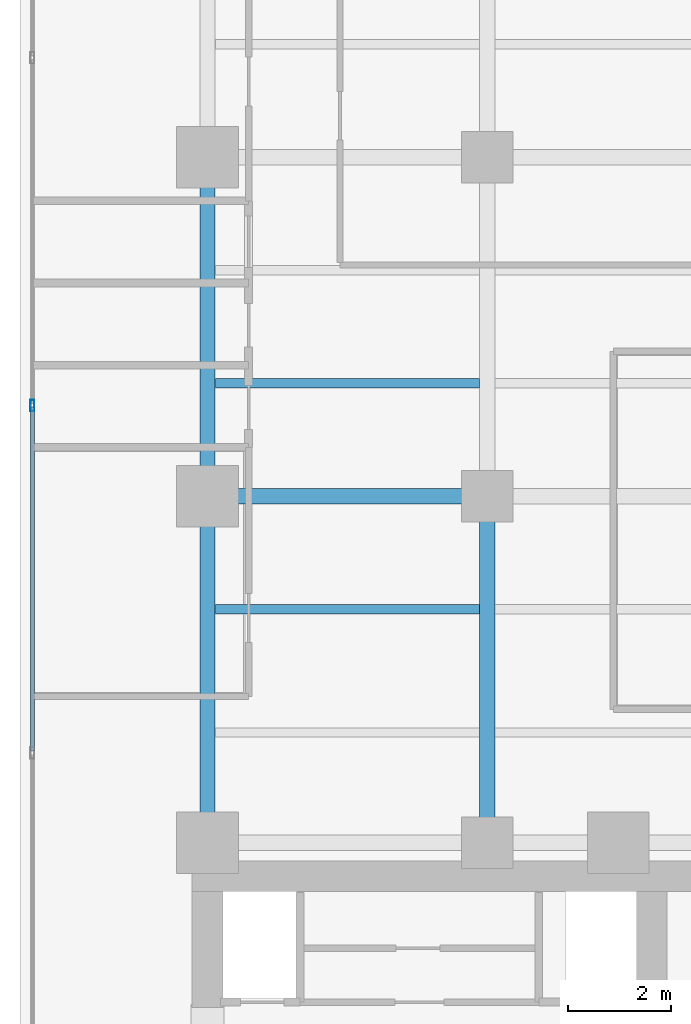
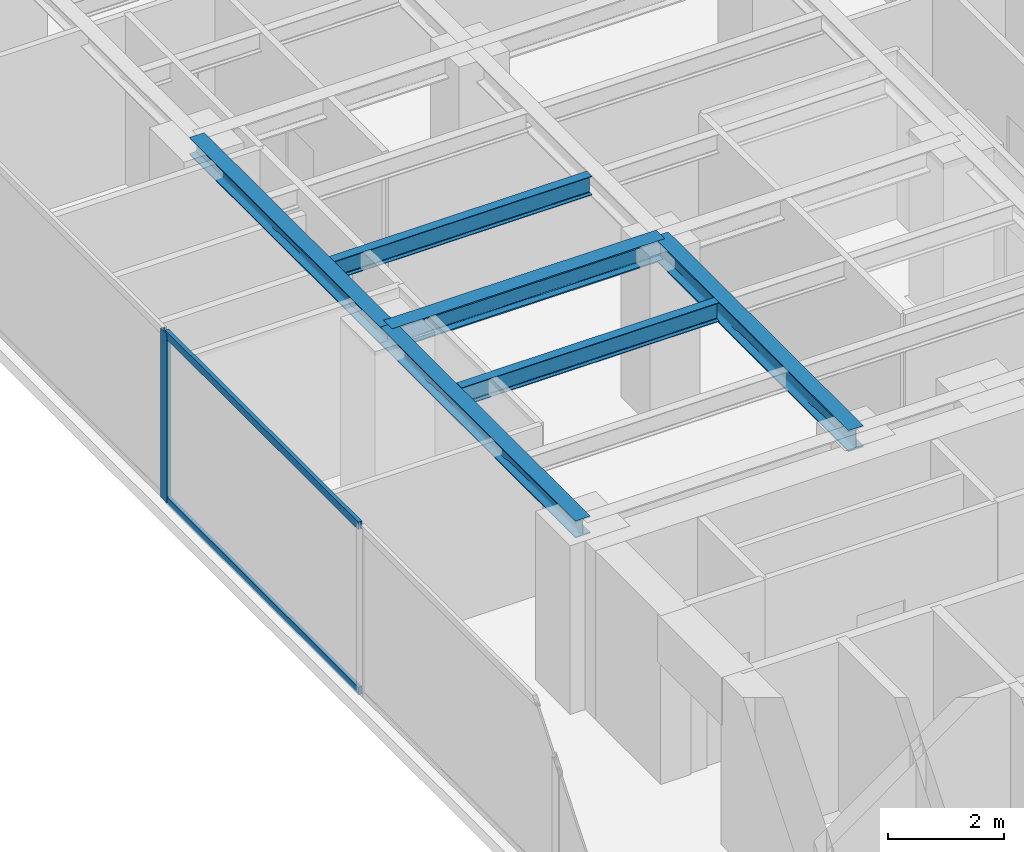
# One storey, part 8 of 27: 6 beams, 3 members, 1 element without a shape of its own.
"""IFC4 building model written with IfcOpenShell, lengths in metres."""

from ifc_helpers import new_model, si_unit, direction, frame, origin, origin_with_axes, origin_2d, place, context, subcontext, project, spatial, hollow_rectangle, i_section, extrude, source, transform, mapped, material, layer, layer_set, material_profile, profile_set, type_object, element, aggregate, save


model = new_model("IFC4")

# Units and contexts
model_context = context("Model", 3, precision=1e-05, world=origin(), true_north=direction((0.0, 1.0)))
body_context = subcontext(model_context, "Body", "Model", "MODEL_VIEW")
ifc_project = project(units=[si_unit("LENGTHUNIT", "METRE"), si_unit("AREAUNIT", "SQUARE_METRE"), si_unit("VOLUMEUNIT", "CUBIC_METRE"), si_unit("PLANEANGLEUNIT", "RADIAN"), si_unit("MASSUNIT", "GRAM", prefix="KILO")], contexts=[model_context])

# Site, building, storey
site_placement = place(None, origin())
site = spatial("IfcSite", under=ifc_project, at=site_placement, CompositionType="ELEMENT")
building_placement = place(site_placement, origin())
building = spatial("IfcBuilding", under=site, at=building_placement, Name="Kolvaren Waterfront Exchange", CompositionType="ELEMENT")
storey_placement = place(building_placement, frame((0.0, 0.0, 176.60009765625)))
storey = spatial("IfcBuildingStorey", under=building, at=storey_placement, Name="L45", CompositionType="ELEMENT", Elevation=176.60009765625)

# Beams
ifc_material_1 = material(Name="Steel S355", Category="steel")
ifc_material_profile_1 = material_profile(ifc_material_1, i_section(OverallWidth=0.300048828125, OverallDepth=0.360107421875, WebThickness=0.012451171875, FlangeThickness=0.0224609375, FilletRadius=0.027099609375, at=origin_2d()), Name="HEB360")
ifc_profile_set_1 = profile_set([ifc_material_profile_1], Name="Steel S355")
beam_type_1 = type_object("IfcBeamType", Name="STR-BM-HEB360", PredefinedType="SPANDREL", material=ifc_profile_set_1)
beam_1_placement = place(storey_placement, frame((7.449951171875, 24.449951171875, 3.3798828125), z_axis=(0.0, 1.0, 0.0), x_axis=(-1.0, 0.0, 0.0)))
element("IfcBeam", 1, at=beam_1_placement, inside=storey, type_object=beam_type_1, Name="L45 north-arm edge beam 1", PredefinedType="SPANDREL", context=body_context, shape_type="SweptSolid", body=[
    extrude(i_section(OverallWidth=0.300048828125, OverallDepth=0.360107421875, WebThickness=0.012451171875, FlangeThickness=0.0224609375, FilletRadius=0.027099609375, at=origin_2d()), origin(), (0.0, 0.0, 1.0), 6.75),
])
beam_2_placement = place(storey_placement, frame((7.449951171875, 31.199951171875, 3.3798828125), z_axis=(0.0, 1.0, 0.0), x_axis=(-1.0, 0.0, 0.0)))
element("IfcBeam", 2, at=beam_2_placement, inside=storey, type_object=beam_type_1, Name="L45 north-arm edge beam 2", PredefinedType="SPANDREL", context=body_context, shape_type="SweptSolid", body=[
    extrude(i_section(OverallWidth=0.300048828125, OverallDepth=0.360107421875, WebThickness=0.012451171875, FlangeThickness=0.0224609375, FilletRadius=0.027099609375, at=origin_2d()), origin(), (0.0, 0.0, 1.0), 6.60009765625),
])
ifc_material_profile_2 = material_profile(ifc_material_1, i_section(OverallWidth=0.300048828125, OverallDepth=0.449951171875, WebThickness=0.013916015625, FlangeThickness=0.02587890625, FilletRadius=0.027099609375, at=origin_2d()), Name="HEB450")
ifc_profile_set_2 = profile_set([ifc_material_profile_2], Name="Steel S355")
beam_type_2 = type_object("IfcBeamType", Name="STR-BM-HEB450", PredefinedType="BEAM", material=ifc_profile_set_2)
beam_3_placement = place(storey_placement, frame((7.449951171875, 31.199951171875, 3.3349609375), z_axis=(1.0, 0.0, 0.0), x_axis=(0.0, 1.0, 0.0)))
element("IfcBeam", 3, at=beam_3_placement, inside=storey, type_object=beam_type_2, Name="L45 north-arm girder 2A", PredefinedType="BEAM", context=body_context, shape_type="SweptSolid", body=[
    extrude(i_section(OverallWidth=0.300048828125, OverallDepth=0.449951171875, WebThickness=0.013916015625, FlangeThickness=0.02587890625, FilletRadius=0.027099609375, at=origin_2d()), origin(), (0.0, 0.0, 1.0), 5.449951171875),
])
beam_4_placement = place(storey_placement, frame((12.89990234375, 24.449951171875, 3.3349609375), z_axis=(0.0, 1.0, 0.0), x_axis=(-1.0, 0.0, 0.0)))
element("IfcBeam", 4, at=beam_4_placement, inside=storey, type_object=beam_type_2, Name="L45 north-arm edge beam 1", PredefinedType="BEAM", context=body_context, shape_type="SweptSolid", body=[
    extrude(i_section(OverallWidth=0.300048828125, OverallDepth=0.449951171875, WebThickness=0.013916015625, FlangeThickness=0.02587890625, FilletRadius=0.027099609375, at=origin_2d()), origin(), (0.0, 0.0, 1.0), 6.75),
])
ifc_material_profile_3 = material_profile(ifc_material_1, i_section(OverallWidth=0.179931640625, OverallDepth=0.39990234375, WebThickness=0.008544921875, FlangeThickness=0.013427734375, FilletRadius=0.02099609375, at=origin_2d()), Name="IPE400")
ifc_profile_set_3 = profile_set([ifc_material_profile_3], Name="Steel S355")
beam_type_3 = type_object("IfcBeamType", Name="STR-BM-IPE400", PredefinedType="JOIST", material=ifc_profile_set_3)
for number, where, z_axis, x_axis, name in (
    (5, (7.60205078125, 29.0, 3.35986328125), (1.0, 0.0, 0.0), (0.0, 1.0, 0.0), "L45 north-arm composite joist 2A"),
    (6, (7.60205078125, 33.39990234375, 3.35986328125), (1.0, 0.0, 0.0), (0.0, 1.0, 0.0), "L45 north-arm composite joist 3A"),
):
    element("IfcBeam", number, at=place(storey_placement, frame(where, z_axis=z_axis, x_axis=x_axis)), inside=storey, type_object=beam_type_3, Name=name, PredefinedType="JOIST", context=body_context, shape_type="SweptSolid", body=[
        extrude(i_section(OverallWidth=0.179931640625, OverallDepth=0.39990234375, WebThickness=0.008544921875, FlangeThickness=0.013427734375, FilletRadius=0.02099609375, at=origin_2d()), origin(), (0.0, 0.0, 1.0), 5.14599609375),
    ])

# Curtain wall, members
ifc_material_2 = material(Name="Anodised aluminium 6063-T6", Category="aluminium")
ifc_layer = layer(ifc_material_2, 0.219970703125, Name="Anodised aluminium 6063-T6")
ifc_layer_set = layer_set([ifc_layer], Name="Anodised aluminium 6063-T6")
curtain_wall_type = type_object("IfcCurtainWallType", Name="ARC-CW-SYS2", PredefinedType="USERDEFINED", material=ifc_layer_set)
curtain_wall_placement = place(storey_placement, origin())
curtain_wall = element("IfcCurtainWall", 7, at=curtain_wall_placement, inside=storey, type_object=curtain_wall_type, Name="L45 stick curtain wall CW2 (CW-L45-W)", ObjectType="STICK CURTAIN WALL", PredefinedType="USERDEFINED")
ifc_material_profile_4 = material_profile(ifc_material_2, hollow_rectangle(XDim=0.074951171875, YDim=0.159912109375, WallThickness=0.00439453125, at=origin_2d()), Name="ALU-TRN-160x75x4.5")
ifc_profile_set_4 = profile_set([ifc_material_profile_4], Name="Anodised aluminium 6063-T6")
member_type_1 = type_object("IfcMemberType", Name="ARC-CWT-160", PredefinedType="USERDEFINED", material=ifc_profile_set_4)
shared_shape_1 = source(origin_with_axes(), body_context, "Body", "SweptSolid", [
    extrude(hollow_rectangle(XDim=0.074951171875, YDim=0.159912109375, WallThickness=0.00439453125, at=origin_2d()), origin(), (0.0, 0.0, 1.0), 6.686767578125),
])
member_1_placement = place(storey_placement, frame((4.0400390625, 26.239990234375, 0.037353515625), z_axis=(0.0, 1.0, 0.0), x_axis=(-1.0, 0.0, 0.0)))
member_1 = element("IfcMember", 8, at=member_1_placement, type_object=member_type_1, Name="CW2 transom 4.1", ObjectType="TRANSOM", PredefinedType="USERDEFINED", context=body_context, shape_type="MappedRepresentation", body=[
    mapped(shared_shape_1, transform((0.0, 0.0, 0.0), x_axis=(1.0, 0.0, 0.0), y_axis=(0.0, 1.0, 0.0), z_axis=(0.0, 0.0, 1.0), scale=1.0)),
])
member_2_placement = place(storey_placement, frame((4.0400390625, 26.239990234375, 3.5224609375), z_axis=(0.0, 1.0, 0.0), x_axis=(-1.0, 0.0, 0.0)))
member_2 = element("IfcMember", 9, at=member_2_placement, type_object=member_type_1, Name="CW2 transom 4.2", ObjectType="TRANSOM", PredefinedType="USERDEFINED", context=body_context, shape_type="MappedRepresentation", body=[
    mapped(shared_shape_1, transform((0.0, 0.0, 0.0), x_axis=(1.0, 0.0, 0.0), y_axis=(0.0, 1.0, 0.0), z_axis=(0.0, 0.0, 1.0), scale=1.0)),
])
ifc_material_profile_5 = material_profile(ifc_material_2, hollow_rectangle(XDim=0.080078125, YDim=0.219970703125, WallThickness=0.0048828125, at=origin_2d()), Name="ALU-MUL-220x80x5")
ifc_profile_set_5 = profile_set([ifc_material_profile_5], Name="Anodised aluminium 6063-T6")
member_type_2 = type_object("IfcMemberType", Name="ARC-CWM-220", PredefinedType="MULLION", material=ifc_profile_set_5)
shared_shape_2 = source(origin_with_axes(), body_context, "Body", "SweptSolid", [
    extrude(hollow_rectangle(XDim=0.080078125, YDim=0.219970703125, WallThickness=0.0048828125, at=origin_2d()), origin(), (0.0, 0.0, 1.0), 3.559814453125),
])
member_3_placement = place(storey_placement, frame((4.0400390625, 32.966552734375, 0.0), z_axis=(0.0, 0.0, 1.0), x_axis=(-1.0, 0.0, 0.0)))
member_3 = element("IfcMember", 10, at=member_3_placement, type_object=member_type_2, Name="CW2 mullion 5", PredefinedType="MULLION", context=body_context, shape_type="MappedRepresentation", body=[
    mapped(shared_shape_2, transform((0.0, 0.0, 0.0), x_axis=(1.0, 0.0, 0.0), y_axis=(0.0, 1.0, 0.0), z_axis=(0.0, 0.0, 1.0), scale=1.0)),
])
aggregate(curtain_wall, [member_3, member_1, member_2])

save(model, "model.ifc")
